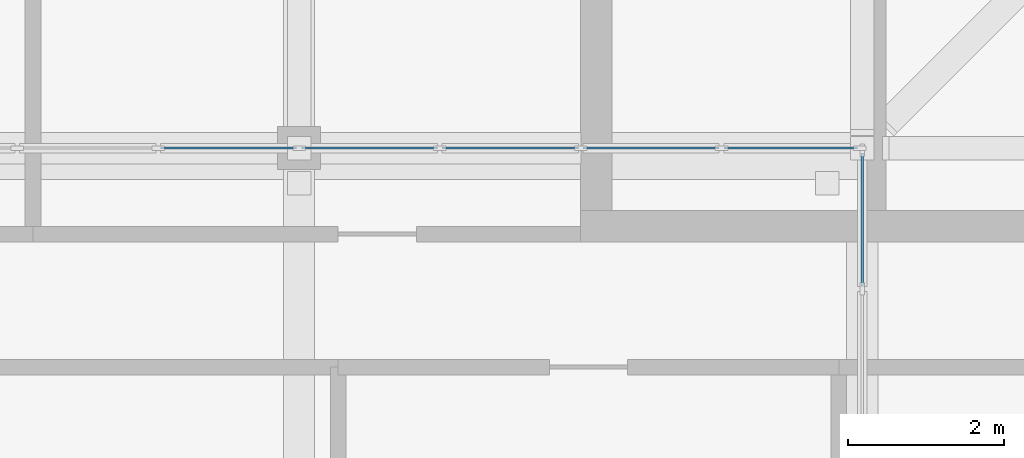
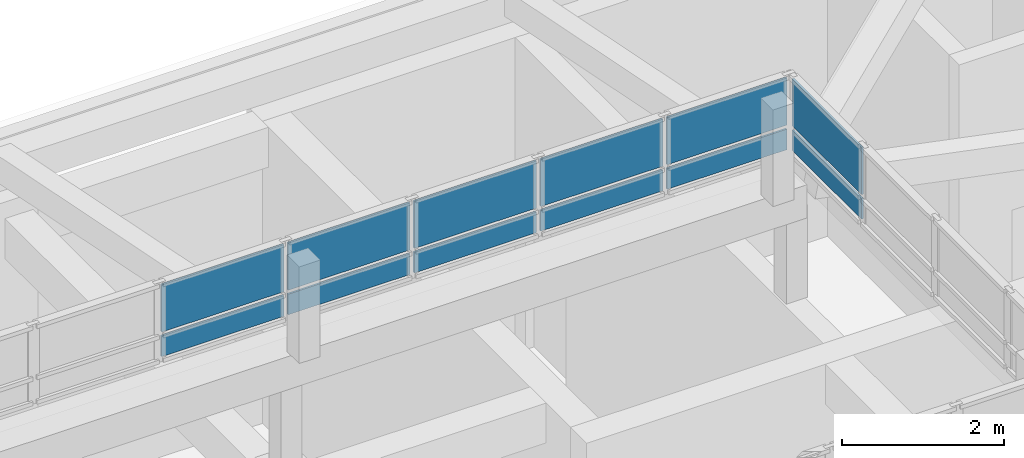
# One storey, part 29 of 48: 12 plates, 2 elements without a shape of their own.
"""IFC4 building model written with IfcOpenShell, lengths in metres."""

import ifcopenshell
import ifcopenshell.guid

model = None  # the IFC model being written
_history = None  # IfcOwnerHistory: only IFC2X3 demands one
_inside = {}  # id of a spatial element -> (the spatial element, [elements in it])
_under = {}  # id of a project, library or spatial element -> (it, [spatial elements below it])
_declared = {}  # id of a project -> (the project, [libraries it declares])
_typed = {}  # id of a type object -> (the type object, [elements of that type])
_made_of = {}  # id of a material, layer set ... -> (it, [elements and type objects made of it])


def new_model(schema):
    """Start an empty IFC model of exactly this schema.

    Asked for "IFC4X3", IfcOpenShell would pick the latest addendum, in which some entities
    have other attributes; the version numbers below select the first issue.
    IFC2X3 requires an IfcOwnerHistory on every rooted entity: one is made here for all.
    """
    global model, _history
    if schema == "IFC4X3":
        model = ifcopenshell.file(schema_version=(4, 3, 0, 0))
    else:
        model = ifcopenshell.file(schema=schema)
    _inside.clear()
    _under.clear()
    _declared.clear()
    _typed.clear()
    _made_of.clear()
    _history = None
    if model.schema == "IFC2X3":
        org = make("IfcOrganization", Name="unknown")
        user = make(
            "IfcPersonAndOrganization",
            ThePerson=make("IfcPerson", FamilyName="unknown"),
            TheOrganization=org,
        )
        app = make(
            "IfcApplication",
            ApplicationDeveloper=org,
            Version="unknown",
            ApplicationFullName="unknown",
            ApplicationIdentifier="unknown",
        )
        _history = make(
            "IfcOwnerHistory",
            OwningUser=user,
            OwningApplication=app,
            ChangeAction="ADDED",
            CreationDate=0,
        )
    return model


def make(cls, **values):
    """One entity of the class cls with the attributes given. An attribute that is None is left unset."""
    return model.create_entity(
        cls, **{name: value for name, value in values.items() if value is not None}
    )


def rooted(cls, **values):
    """An entity with a GlobalId (a new one), such as an element, a storey or a relation."""
    return make(cls, GlobalId=ifcopenshell.guid.new(), OwnerHistory=_history, **values)


def si_unit(unit_type, name, prefix=None):
    """IfcSIUnit, for example si_unit("LENGTHUNIT", "METRE", prefix="MILLI")."""
    return make("IfcSIUnit", UnitType=unit_type, Prefix=prefix, Name=name)


def assignment(units):
    """IfcUnitAssignment: the units of a project."""
    return None if units is None else make("IfcUnitAssignment", Units=units)


def point(xyz):
    """IfcCartesianPoint."""
    return None if xyz is None else make("IfcCartesianPoint", Coordinates=xyz)


def direction(xyz):
    """IfcDirection."""
    return None if xyz is None else make("IfcDirection", DirectionRatios=xyz)


def frame(location, z_axis=None, x_axis=None):
    """IfcAxis2Placement3D, a coordinate frame: its origin and axes. An axis left out is left unset."""
    return make(
        "IfcAxis2Placement3D",
        Location=point(location),
        Axis=direction(z_axis),
        RefDirection=direction(x_axis),
    )


def frame_2d(location, x_axis=None):
    """IfcAxis2Placement2D, a coordinate frame in the plane: its origin and x axis."""
    return make(
        "IfcAxis2Placement2D", Location=point(location), RefDirection=direction(x_axis)
    )


def origin():
    """The frame at (0, 0, 0) with its axes left unset."""
    return frame((0.0, 0.0, 0.0))


def origin_2d():
    """The frame at (0, 0) in the plane with its x axis left unset."""
    return frame_2d((0.0, 0.0))


def place(relative_to, where):
    """IfcLocalPlacement: puts the frame where relative to a parent placement (None: the world)."""
    return make(
        "IfcLocalPlacement", PlacementRelTo=relative_to, RelativePlacement=where
    )


def context(
    kind, dimensions, precision=None, world=None, true_north=None, identifier=None
):
    """IfcGeometricRepresentationContext, for example the 3D "Model" context."""
    return make(
        "IfcGeometricRepresentationContext",
        ContextIdentifier=identifier,
        ContextType=kind,
        CoordinateSpaceDimension=dimensions,
        Precision=precision,
        WorldCoordinateSystem=world,
        TrueNorth=true_north,
    )


def subcontext(parent, identifier, kind, view, scale=None):
    """IfcGeometricRepresentationSubContext, for example "Body" below "Model"."""
    return make(
        "IfcGeometricRepresentationSubContext",
        ContextIdentifier=identifier,
        ContextType=kind,
        ParentContext=parent,
        TargetScale=scale,
        TargetView=view,
    )


def project(units=None, contexts=None):
    """IfcProject with its units and contexts."""
    return rooted(
        "IfcProject",
        Name="project",
        RepresentationContexts=contexts,
        UnitsInContext=assignment(units),
    )


def spatial(cls, under=None, at=None, **own):
    """A site, building, storey or space (cls), placed at a placement, below another one or the project."""
    s = rooted(cls, ObjectPlacement=at, **own)
    if under is not None:
        _under.setdefault(under.id(), (under, []))[1].append(s)
    return s


def profile(cls, at=None, kind="AREA", **sizes):
    """A parametric profile (cls). Its sizes go by their IFC names, for example OverallWidth=200.0."""
    return make(cls, ProfileType=kind, Position=at, **sizes)


def rectangle(**sizes):
    """IfcRectangleProfileDef."""
    return profile("IfcRectangleProfileDef", **sizes)


def extrude(swept, where, along, depth):
    """IfcExtrudedAreaSolid: the profile swept, set in the frame where, extruded along a direction by depth."""
    return make(
        "IfcExtrudedAreaSolid",
        SweptArea=swept,
        Position=where,
        ExtrudedDirection=direction(along),
        Depth=depth,
    )


def shape(context_of_items, identifier, shape_type, items):
    """IfcShapeRepresentation: the items that make up one representation, for example the "Body"."""
    return make(
        "IfcShapeRepresentation",
        ContextOfItems=context_of_items,
        RepresentationIdentifier=identifier,
        RepresentationType=shape_type,
        Items=items,
    )


def material(Name=None, Category=None):
    """IfcMaterial."""
    return make("IfcMaterial", Name=Name, Category=Category)


def layer(
    of_material, thickness, ventilated=None, Name=None, Category=None, Priority=None
):
    """IfcMaterialLayer: one layer of a wall or slab, of a material (None: an air gap)."""
    return make(
        "IfcMaterialLayer",
        Material=of_material,
        LayerThickness=thickness,
        IsVentilated=ventilated,
        Name=Name,
        Category=Category,
        Priority=Priority,
    )


def layer_set(layers, Name=None):
    """IfcMaterialLayerSet."""
    return make("IfcMaterialLayerSet", MaterialLayers=layers, LayerSetName=Name)


def made_of(thing, what):
    """Note that an element or type object is made of a material, layer set ...; save() writes the relation."""
    if what is not None:
        _made_of.setdefault(what.id(), (what, []))[1].append(thing)
    return thing


def type_object(cls, material=None, **own):
    """A type object (cls), such as IfcWallType, which elements share."""
    return made_of(rooted(cls, **own), material)


def element(
    cls,
    number,
    at=None,
    inside=None,
    cuts=None,
    type_object=None,
    material=None,
    context=None,
    identifier="Body",
    shape_type=None,
    held_by="IfcProductDefinitionShape",
    body=None,
    shapes=None,
    **own,
):
    """One element of the class cls, such as IfcWall. Its Tag is "e" and its number.

    at: its placement. inside: the storey or other place that contains it. cuts: it is an
    opening in that element (IfcRelVoidsElement). A single representation is given by context,
    identifier, shape_type and body (its items); several are given by shapes. held_by: the class
    of the entity that holds the representations. save() writes the other relations.
    """
    e = rooted(cls, Tag="e%d" % number, ObjectPlacement=at, **own)
    if body is not None:
        shapes = [shape(context, identifier, shape_type, body)]
    if shapes is not None:
        e.Representation = make(held_by, Representations=shapes)
    if inside is not None:
        _inside.setdefault(inside.id(), (inside, []))[1].append(e)
    if cuts is not None:
        rooted(
            "IfcRelVoidsElement", RelatingBuildingElement=cuts, RelatedOpeningElement=e
        )
    if type_object is not None:
        _typed.setdefault(type_object.id(), (type_object, []))[1].append(e)
    return made_of(e, material)


def aggregate(whole, parts):
    """IfcRelAggregates: a whole, such as a stair, and the parts it consists of."""
    return rooted("IfcRelAggregates", RelatingObject=whole, RelatedObjects=parts)


def save(model, path):
    """Write the relations noted so far, then the file.

    IfcRelAggregates (storeys below a building ...), IfcRelContainedInSpatialStructure (elements
    in a storey), IfcRelDefinesByType, IfcRelAssociatesMaterial and IfcRelDeclares: one each for
    every whole, place, type object, material and project.
    """
    for whole, parts in _under.values():
        aggregate(whole, parts)
    for where, things in _inside.values():
        rooted(
            "IfcRelContainedInSpatialStructure",
            RelatedElements=things,
            RelatingStructure=where,
        )
    for kind, things in _typed.values():
        rooted("IfcRelDefinesByType", RelatedObjects=things, RelatingType=kind)
    for what, things in _made_of.values():
        rooted("IfcRelAssociatesMaterial", RelatedObjects=things, RelatingMaterial=what)
    for by, libraries in _declared.values():
        rooted("IfcRelDeclares", RelatingContext=by, RelatedDefinitions=libraries)
    model.write(path)


model = new_model("IFC4")

# Units and contexts
model_context = context("Model", 3, precision=1e-05, world=origin(), true_north=direction((0.0, 1.0)))
body_context = subcontext(model_context, "Body", "Model", "MODEL_VIEW")
ifc_project = project(units=[si_unit("LENGTHUNIT", "METRE"), si_unit("AREAUNIT", "SQUARE_METRE"), si_unit("VOLUMEUNIT", "CUBIC_METRE"), si_unit("PLANEANGLEUNIT", "RADIAN"), si_unit("MASSUNIT", "GRAM", prefix="KILO")], contexts=[model_context])

# Site, building, storey
site_placement = place(None, origin())
site = spatial("IfcSite", under=ifc_project, at=site_placement, CompositionType="ELEMENT")
building_placement = place(site_placement, origin())
building = spatial("IfcBuilding", under=site, at=building_placement, Name="Alderwick Market Hall", CompositionType="ELEMENT")
storey_placement = place(building_placement, frame((0.0, 0.0, 14.39990234375)))
storey = spatial("IfcBuildingStorey", under=building, at=storey_placement, Name="L02", CompositionType="ELEMENT", Elevation=14.39990234375)

# Curtain wall, plates
ifc_material_1 = material(Name="F Curtain Wall 1800 module")
curtain_wall_type = type_object("IfcCurtainWallType", Name="F Curtain Wall 1800 module", PredefinedType="NOTDEFINED", material=ifc_material_1)
curtain_wall_1_placement = place(storey_placement, origin())
curtain_wall_1 = element("IfcCurtainWall", 1, at=curtain_wall_1_placement, inside=storey, type_object=curtain_wall_type, Name="F.lantern.L02.n", PredefinedType="NOTDEFINED")
ifc_material_2 = material(Name="Laminated glass 28 mm", Category="glass")
ifc_layer = layer(ifc_material_2, 0.028076171875)
ifc_layer_set = layer_set([ifc_layer], Name="Laminated glass 28 mm")
plate_type = type_object("IfcPlateType", Name="F Curtain Wall Glass Panel 28", PredefinedType="CURTAIN_PANEL", material=ifc_layer_set)
plate_1_placement = place(storey_placement, frame((215.10009765625, 144.0, 7.01513671875), z_axis=(0.0, 0.0, 1.0), x_axis=(1.0, 0.0, 0.0)))
plate_1 = element("IfcPlate", 2, at=plate_1_placement, type_object=plate_type, Name="F-LCW panel 28.1", PredefinedType="CURTAIN_PANEL", context=body_context, shape_type="SweptSolid", body=[
    extrude(rectangle(XDim=1.739990234375, YDim=0.028076171875, at=origin_2d()), origin(), (0.0, 0.0, 1.0), 0.31005859375),
])
plate_2_placement = place(storey_placement, frame((215.10009765625, 144.0, 7.385009765625), z_axis=(0.0, 0.0, 1.0), x_axis=(1.0, 0.0, 0.0)))
plate_2 = element("IfcPlate", 3, at=plate_2_placement, type_object=plate_type, Name="F-LCW panel 28.2", PredefinedType="CURTAIN_PANEL", context=body_context, shape_type="SweptSolid", body=[
    extrude(rectangle(XDim=1.739990234375, YDim=0.028076171875, at=origin_2d()), origin(), (0.0, 0.0, 1.0), 0.7099609375),
])
plate_3_placement = place(storey_placement, frame((216.89990234375, 144.0, 7.01513671875), z_axis=(0.0, 0.0, 1.0), x_axis=(1.0, 0.0, 0.0)))
plate_3 = element("IfcPlate", 4, at=plate_3_placement, type_object=plate_type, Name="F-LCW panel 29.1", PredefinedType="CURTAIN_PANEL", context=body_context, shape_type="SweptSolid", body=[
    extrude(rectangle(XDim=1.739990234375, YDim=0.028076171875, at=origin_2d()), origin(), (0.0, 0.0, 1.0), 0.31005859375),
])
plate_4_placement = place(storey_placement, frame((216.89990234375, 144.0, 7.385009765625), z_axis=(0.0, 0.0, 1.0), x_axis=(1.0, 0.0, 0.0)))
plate_4 = element("IfcPlate", 5, at=plate_4_placement, type_object=plate_type, Name="F-LCW panel 29.2", PredefinedType="CURTAIN_PANEL", context=body_context, shape_type="SweptSolid", body=[
    extrude(rectangle(XDim=1.739990234375, YDim=0.028076171875, at=origin_2d()), origin(), (0.0, 0.0, 1.0), 0.7099609375),
])
plate_5_placement = place(storey_placement, frame((218.699951171875, 144.0, 7.01513671875), z_axis=(0.0, 0.0, 1.0), x_axis=(1.0, 0.0, 0.0)))
plate_5 = element("IfcPlate", 6, at=plate_5_placement, type_object=plate_type, Name="F-LCW panel 30.1", PredefinedType="CURTAIN_PANEL", context=body_context, shape_type="SweptSolid", body=[
    extrude(rectangle(XDim=1.739990234375, YDim=0.028076171875, at=origin_2d()), origin(), (0.0, 0.0, 1.0), 0.31005859375),
])
plate_6_placement = place(storey_placement, frame((218.699951171875, 144.0, 7.385009765625), z_axis=(0.0, 0.0, 1.0), x_axis=(1.0, 0.0, 0.0)))
plate_6 = element("IfcPlate", 7, at=plate_6_placement, type_object=plate_type, Name="F-LCW panel 30.2", PredefinedType="CURTAIN_PANEL", context=body_context, shape_type="SweptSolid", body=[
    extrude(rectangle(XDim=1.739990234375, YDim=0.028076171875, at=origin_2d()), origin(), (0.0, 0.0, 1.0), 0.7099609375),
])
plate_7_placement = place(storey_placement, frame((220.5, 144.0, 7.01513671875), z_axis=(0.0, 0.0, 1.0), x_axis=(1.0, 0.0, 0.0)))
plate_7 = element("IfcPlate", 8, at=plate_7_placement, type_object=plate_type, Name="F-LCW panel 31.1", PredefinedType="CURTAIN_PANEL", context=body_context, shape_type="SweptSolid", body=[
    extrude(rectangle(XDim=1.739990234375, YDim=0.028076171875, at=origin_2d()), origin(), (0.0, 0.0, 1.0), 0.31005859375),
])
plate_8_placement = place(storey_placement, frame((220.5, 144.0, 7.385009765625), z_axis=(0.0, 0.0, 1.0), x_axis=(1.0, 0.0, 0.0)))
plate_8 = element("IfcPlate", 9, at=plate_8_placement, type_object=plate_type, Name="F-LCW panel 31.2", PredefinedType="CURTAIN_PANEL", context=body_context, shape_type="SweptSolid", body=[
    extrude(rectangle(XDim=1.739990234375, YDim=0.028076171875, at=origin_2d()), origin(), (0.0, 0.0, 1.0), 0.7099609375),
])
plate_9_placement = place(storey_placement, frame((222.284912109375, 144.0, 7.01513671875), z_axis=(0.0, 0.0, 1.0), x_axis=(1.0, 0.0, 0.0)))
plate_9 = element("IfcPlate", 10, at=plate_9_placement, type_object=plate_type, Name="F-LCW panel 32.1", PredefinedType="CURTAIN_PANEL", context=body_context, shape_type="SweptSolid", body=[
    extrude(rectangle(XDim=1.7099609375, YDim=0.028076171875, at=origin_2d()), origin(), (0.0, 0.0, 1.0), 0.31005859375),
])
plate_10_placement = place(storey_placement, frame((222.284912109375, 144.0, 7.385009765625), z_axis=(0.0, 0.0, 1.0), x_axis=(1.0, 0.0, 0.0)))
plate_10 = element("IfcPlate", 11, at=plate_10_placement, type_object=plate_type, Name="F-LCW panel 32.2", PredefinedType="CURTAIN_PANEL", context=body_context, shape_type="SweptSolid", body=[
    extrude(rectangle(XDim=1.7099609375, YDim=0.028076171875, at=origin_2d()), origin(), (0.0, 0.0, 1.0), 0.7099609375),
])
aggregate(curtain_wall_1, [plate_1, plate_2, plate_3, plate_4, plate_5, plate_6, plate_7, plate_8, plate_9, plate_10])

curtain_wall_2_placement = place(storey_placement, origin())
curtain_wall_2 = element("IfcCurtainWall", 12, at=curtain_wall_2_placement, inside=storey, type_object=curtain_wall_type, Name="F.lantern.L02.e", PredefinedType="NOTDEFINED")
plate_11_placement = place(storey_placement, frame((223.199951171875, 143.0849609375, 7.01513671875), z_axis=(0.0, 0.0, 1.0), x_axis=(0.0, 1.0, 0.0)))
plate_11 = element("IfcPlate", 13, at=plate_11_placement, type_object=plate_type, Name="F-LCW panel 4.1", PredefinedType="CURTAIN_PANEL", context=body_context, shape_type="SweptSolid", body=[
    extrude(rectangle(XDim=1.7099609375, YDim=0.028076171875, at=origin_2d()), origin(), (0.0, 0.0, 1.0), 0.31005859375),
])
plate_12_placement = place(storey_placement, frame((223.199951171875, 143.0849609375, 7.385009765625), z_axis=(0.0, 0.0, 1.0), x_axis=(0.0, 1.0, 0.0)))
plate_12 = element("IfcPlate", 14, at=plate_12_placement, type_object=plate_type, Name="F-LCW panel 4.2", PredefinedType="CURTAIN_PANEL", context=body_context, shape_type="SweptSolid", body=[
    extrude(rectangle(XDim=1.7099609375, YDim=0.028076171875, at=origin_2d()), origin(), (0.0, 0.0, 1.0), 0.7099609375),
])
aggregate(curtain_wall_2, [plate_11, plate_12])

save(model, "model.ifc")
